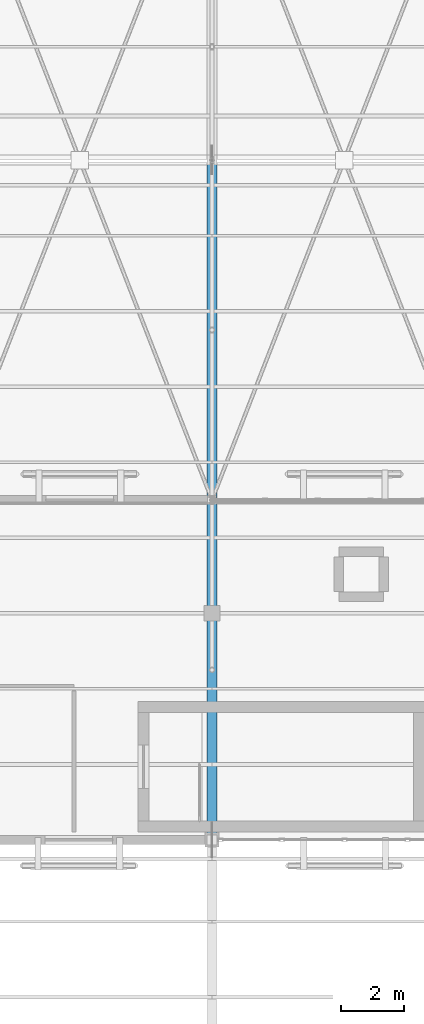
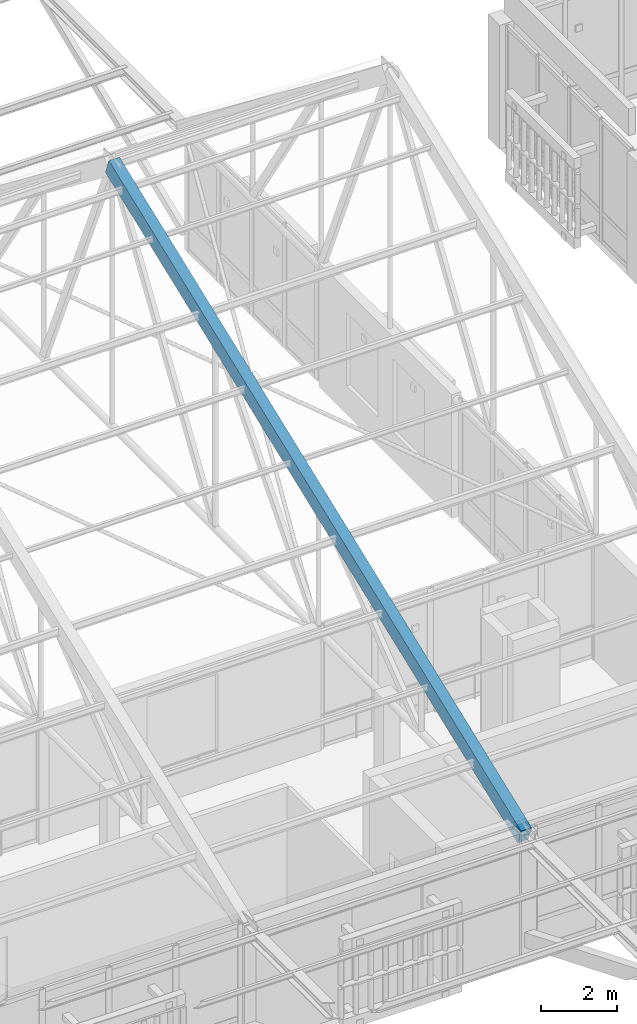
# One storey, part 101 of 217: 1 member.
"""IFC4 building model written with IfcOpenShell, lengths in metres."""

from ifc_helpers import new_model, si_unit, direction, frame, origin, origin_2d, place, context, subcontext, project, spatial, rectangle, extrude, material, material_profile, profile_set, type_object, element, save


model = new_model("IFC4")

# Units and contexts
model_context = context("Model", 3, precision=1e-05, world=origin(), true_north=direction((0.0, 1.0)))
body_context = subcontext(model_context, "Body", "Model", "MODEL_VIEW")
ifc_project = project(units=[si_unit("LENGTHUNIT", "METRE"), si_unit("AREAUNIT", "SQUARE_METRE"), si_unit("VOLUMEUNIT", "CUBIC_METRE"), si_unit("PLANEANGLEUNIT", "RADIAN"), si_unit("MASSUNIT", "GRAM", prefix="KILO")], contexts=[model_context])

# Site, building, storey
site_placement = place(None, origin())
site = spatial("IfcSite", under=ifc_project, at=site_placement, CompositionType="ELEMENT")
building_placement = place(site_placement, origin())
building = spatial("IfcBuilding", under=site, at=building_placement, Name="Mazaris Harbour Polytechnic", CompositionType="ELEMENT")
storey_placement = place(building_placement, frame((0.0, 0.0, 9.60009765625)))
storey = spatial("IfcBuildingStorey", under=building, at=storey_placement, Name="L02", CompositionType="ELEMENT", Elevation=9.60009765625)

# Member
ifc_material = material(Name="Glulam GL32h", Category="wood")
ifc_material_profile = material_profile(ifc_material, rectangle(XDim=0.320068359375, YDim=0.52001953125, at=origin_2d()), Name="RECT320x520")
ifc_profile_set = profile_set([ifc_material_profile], Name="Glulam GL32h")
member_type = type_object("IfcMemberType", Name="Glulam Top Chord 320x520", PredefinedType="CHORD", material=ifc_profile_set)
member_placement = place(storey_placement, frame((104.39990234375, 75.60009765625, 3.75), z_axis=(0.0, 0.93273343771, 0.360566684786), x_axis=(-1.0, 0.0, 0.0)))
element("IfcMember", 1, at=member_placement, inside=storey, type_object=member_type, Name="Truss 7 South Glulam Top Chord", PredefinedType="CHORD", context=body_context, shape_type="SweptSolid", body=[
    extrude(rectangle(XDim=0.320068359375, YDim=0.52001953125, at=origin_2d()), origin(), (0.0, 0.0, 1.0), 23.157470703125),
])

save(model, "model.ifc")
